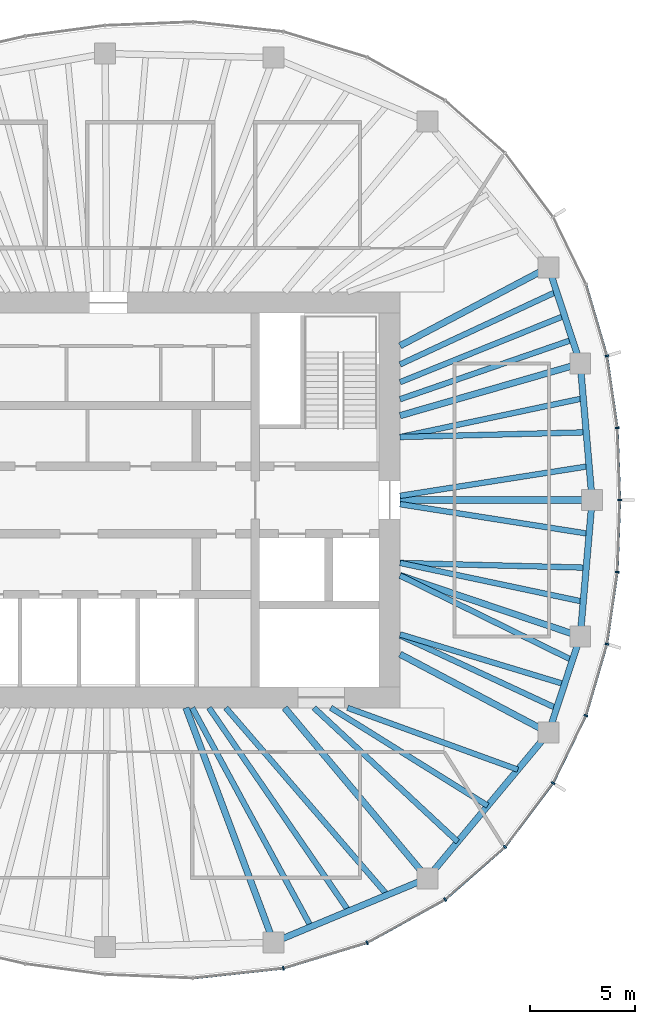
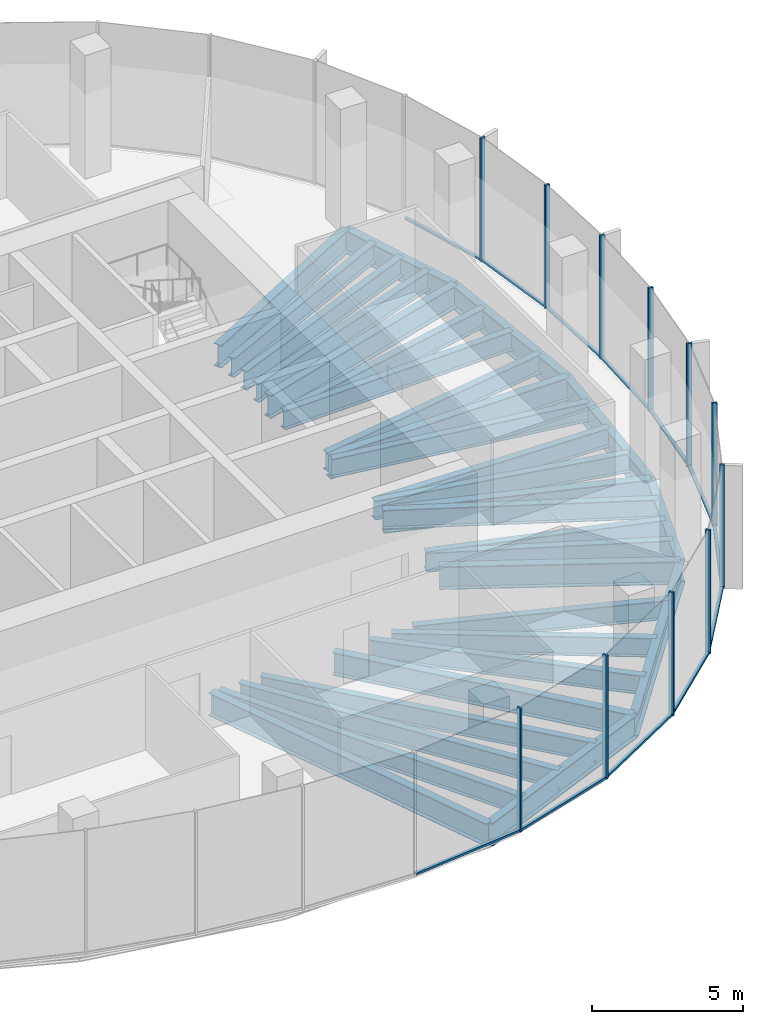
# One storey, part 4 of 11: 31 beams, 23 members, 7 elements without a shape of their own.
"""IFC4 building model written with IfcOpenShell, lengths in metres."""

from ifc_helpers import new_model, si_unit, direction, frame, origin, origin_2d, place, context, subcontext, project, spatial, rectangle, i_section, extrude, material, material_profile, profile_set, type_object, element, aggregate, save


model = new_model("IFC4")

# Units and contexts
model_context = context("Model", 3, precision=1e-05, world=origin(), true_north=direction((0.0, 1.0)))
body_context = subcontext(model_context, "Body", "Model", "MODEL_VIEW")
ifc_project = project(units=[si_unit("LENGTHUNIT", "METRE"), si_unit("AREAUNIT", "SQUARE_METRE"), si_unit("VOLUMEUNIT", "CUBIC_METRE"), si_unit("PLANEANGLEUNIT", "RADIAN"), si_unit("MASSUNIT", "GRAM", prefix="KILO")], contexts=[model_context])

# Site, building, storey
site_placement = place(None, origin())
site = spatial("IfcSite", under=ifc_project, at=site_placement, CompositionType="ELEMENT")
building_placement = place(site_placement, origin())
building = spatial("IfcBuilding", under=site, at=building_placement, Name="Ghaith Harvest Tower", CompositionType="ELEMENT")
storey_placement = place(building_placement, frame((0.0, 0.0, 334.199951171875)))
storey = spatial("IfcBuildingStorey", under=building, at=storey_placement, Name="L75", CompositionType="ELEMENT", Elevation=334.199951171875)

# Curtain wall, members
ifc_material_1 = material(Name="Black anodised aluminium and fritted glass", Category="aluminium")
curtain_wall_type = type_object("IfcCurtainWallType", Name="CW-T CURTAIN WALL", PredefinedType="NOTDEFINED", material=ifc_material_1)
curtain_wall_1_placement = place(storey_placement, origin())
curtain_wall_1 = element("IfcCurtainWall", 1, at=curtain_wall_1_placement, inside=storey, type_object=curtain_wall_type, Name="Curtain wall CW-T bay 01 L75", PredefinedType="NOTDEFINED")
ifc_material_2 = material(Name="Aluminium, black anodised", Category="aluminium")
ifc_material_profile_1 = material_profile(ifc_material_2, rectangle(XDim=0.080078125, YDim=0.179931640625, at=origin_2d()), Name="CW-T MULLION 80x180")
ifc_profile_set_1 = profile_set([ifc_material_profile_1], Name="Aluminium, black anodised")
member_type_1 = type_object("IfcMemberType", Name="CW-T MULLION 80x180", PredefinedType="MULLION", material=ifc_profile_set_1)
member_1_placement = place(storey_placement, frame((24.3701171875, 0.0, 0.0), z_axis=(0.0, 0.0, 1.0), x_axis=(5.2e-11, 1.0, 0.0)))
member_1 = element("IfcMember", 2, at=member_1_placement, type_object=member_type_1, Name="CW-T mullion 1 bay 01 L75", PredefinedType="MULLION", context=body_context, shape_type="SweptSolid", body=[
    extrude(rectangle(XDim=0.080078125, YDim=0.179931640625, at=origin_2d()), origin(), (0.0, 0.0, 1.0), 5.0),
])
member_2_placement = place(storey_placement, frame((24.247802734375, 3.433837890625, 0.0), z_axis=(0.0, 0.0, 1.0), x_axis=(-0.089502202236, 0.995986624305, 0.0)))
member_2 = element("IfcMember", 3, at=member_2_placement, type_object=member_type_1, Name="CW-T mullion 2 bay 01 L75", PredefinedType="MULLION", context=body_context, shape_type="SweptSolid", body=[
    extrude(rectangle(XDim=0.080078125, YDim=0.179931640625, at=origin_2d()), origin(), (0.0, 0.0, 1.0), 5.0),
])

# Curtain wall, member
curtain_wall_2_placement = place(storey_placement, origin())
curtain_wall_2 = element("IfcCurtainWall", 4, at=curtain_wall_2_placement, inside=storey, type_object=curtain_wall_type, Name="Curtain wall CW-T bay 02 L75", PredefinedType="NOTDEFINED")
member_3_placement = place(storey_placement, frame((23.753173828125, 6.865234375, 0.0), z_axis=(0.0, 0.0, 1.0), x_axis=(-0.21340203233, 0.976964468442, 0.0)))
member_3 = element("IfcMember", 5, at=member_3_placement, type_object=member_type_1, Name="CW-T mullion 1 bay 02 L75", PredefinedType="MULLION", context=body_context, shape_type="SweptSolid", body=[
    extrude(rectangle(XDim=0.080078125, YDim=0.179931640625, at=origin_2d()), origin(), (0.0, 0.0, 1.0), 5.0),
])

# Curtain wall, members
curtain_wall_3_placement = place(storey_placement, origin())
curtain_wall_3 = element("IfcCurtainWall", 6, at=curtain_wall_3_placement, inside=storey, type_object=curtain_wall_type, Name="Curtain wall CW-T bay 17 L75", PredefinedType="NOTDEFINED")
member_4_placement = place(storey_placement, frame((8.33984375, -22.308837890625, 0.0), z_axis=(0.0, 0.0, 1.0), x_axis=(0.980000193265, 0.198996535647, 0.0)))
member_4 = element("IfcMember", 7, at=member_4_placement, type_object=member_type_1, Name="CW-T mullion 1 bay 17 L75", PredefinedType="MULLION", context=body_context, shape_type="SweptSolid", body=[
    extrude(rectangle(XDim=0.080078125, YDim=0.179931640625, at=origin_2d()), origin(), (0.0, 0.0, 1.0), 5.0),
])
member_5_placement = place(storey_placement, frame((12.334228515625, -21.091796875, 0.0), z_axis=(0.0, 0.0, 1.0), x_axis=(0.920319269335, 0.391168048914, 0.0)))
member_5 = element("IfcMember", 8, at=member_5_placement, type_object=member_type_1, Name="CW-T mullion 2 bay 17 L75", PredefinedType="MULLION", context=body_context, shape_type="SweptSolid", body=[
    extrude(rectangle(XDim=0.080078125, YDim=0.179931640625, at=origin_2d()), origin(), (0.0, 0.0, 1.0), 5.0),
])

curtain_wall_4_placement = place(storey_placement, origin())
curtain_wall_4 = element("IfcCurtainWall", 9, at=curtain_wall_4_placement, inside=storey, type_object=curtain_wall_type, Name="Curtain wall CW-T bay 18 L75", PredefinedType="NOTDEFINED")
member_6_placement = place(storey_placement, frame((16.04931640625, -19.031982421875, 0.0), z_axis=(0.0, 0.0, 1.0), x_axis=(0.821112053644, 0.570767023715, 0.0)))
member_6 = element("IfcMember", 10, at=member_6_placement, type_object=member_type_1, Name="CW-T mullion 1 bay 18 L75", PredefinedType="MULLION", context=body_context, shape_type="SweptSolid", body=[
    extrude(rectangle(XDim=0.080078125, YDim=0.179931640625, at=origin_2d()), origin(), (0.0, 0.0, 1.0), 5.0),
])
member_7_placement = place(storey_placement, frame((18.901123046875, -16.527099609375, 0.0), z_axis=(0.0, 0.0, 1.0), x_axis=(0.679660897254, 0.733526458108, 0.0)))
member_7 = element("IfcMember", 11, at=member_7_placement, type_object=member_type_1, Name="CW-T mullion 2 bay 18 L75", PredefinedType="MULLION", context=body_context, shape_type="SweptSolid", body=[
    extrude(rectangle(XDim=0.080078125, YDim=0.179931640625, at=origin_2d()), origin(), (0.0, 0.0, 1.0), 5.0),
])

curtain_wall_5_placement = place(storey_placement, origin())
curtain_wall_5 = element("IfcCurtainWall", 12, at=curtain_wall_5_placement, inside=storey, type_object=curtain_wall_type, Name="Curtain wall CW-T bay 19 L75", PredefinedType="NOTDEFINED")
member_8_placement = place(storey_placement, frame((21.18896484375, -13.48486328125, 0.0), z_axis=(0.0, 0.0, 1.0), x_axis=(0.524482238715, 0.85142138878, 0.0)))
member_8 = element("IfcMember", 13, at=member_8_placement, type_object=member_type_1, Name="CW-T mullion 1 bay 19 L75", PredefinedType="MULLION", context=body_context, shape_type="SweptSolid", body=[
    extrude(rectangle(XDim=0.080078125, YDim=0.179931640625, at=origin_2d()), origin(), (0.0, 0.0, 1.0), 5.0),
])
member_9_placement = place(storey_placement, frame((22.754150390625, -10.272216796875, 0.0), z_axis=(0.0, 0.0, 1.0), x_axis=(0.361184273904, 0.932494461262, 0.0)))
member_9 = element("IfcMember", 14, at=member_9_placement, type_object=member_type_1, Name="CW-T mullion 2 bay 19 L75", PredefinedType="MULLION", context=body_context, shape_type="SweptSolid", body=[
    extrude(rectangle(XDim=0.080078125, YDim=0.179931640625, at=origin_2d()), origin(), (0.0, 0.0, 1.0), 5.0),
])

curtain_wall_6_placement = place(storey_placement, origin())
curtain_wall_6 = element("IfcCurtainWall", 15, at=curtain_wall_6_placement, inside=storey, type_object=curtain_wall_type, Name="Curtain wall CW-T bay 20 L75", PredefinedType="NOTDEFINED")
member_10_placement = place(storey_placement, frame((23.753173828125, -6.865234375, 0.0), z_axis=(0.0, 0.0, 1.0), x_axis=(0.213402032501, 0.976964468404, 0.0)))
member_10 = element("IfcMember", 16, at=member_10_placement, type_object=member_type_1, Name="CW-T mullion 1 bay 20 L75", PredefinedType="MULLION", context=body_context, shape_type="SweptSolid", body=[
    extrude(rectangle(XDim=0.080078125, YDim=0.179931640625, at=origin_2d()), origin(), (0.0, 0.0, 1.0), 5.0),
])
member_11_placement = place(storey_placement, frame((24.247802734375, -3.433837890625, 0.0), z_axis=(0.0, 0.0, 1.0), x_axis=(0.089502202305, 0.995986624299, 0.0)))
member_11 = element("IfcMember", 17, at=member_11_placement, type_object=member_type_1, Name="CW-T mullion 2 bay 20 L75", PredefinedType="MULLION", context=body_context, shape_type="SweptSolid", body=[
    extrude(rectangle(XDim=0.080078125, YDim=0.179931640625, at=origin_2d()), origin(), (0.0, 0.0, 1.0), 5.0),
])

# Member
ifc_material_3 = material(Name="Aluminium, black anodised", Category="aluminium")
ifc_material_profile_2 = material_profile(ifc_material_3, rectangle(XDim=0.1201171875, YDim=0.080078125, at=origin_2d()), Name="CW-T TRANSOM 120x80")
ifc_profile_set_2 = profile_set([ifc_material_profile_2], Name="Aluminium, black anodised")
member_type_2 = type_object("IfcMemberType", Name="CW-T TRANSOM 120x80", PredefinedType="USERDEFINED", material=ifc_profile_set_2)
member_12_placement = place(storey_placement, frame((24.36865234375, 0.0400390625, 0.0400390625), z_axis=(-0.035574759537, 0.999367017909, 0.0), x_axis=(-0.999367017909, -0.035574759537, 0.0)))
member_12 = element("IfcMember", 18, at=member_12_placement, type_object=member_type_2, Name="CW-T transom 1 bay 01 L75", ObjectType="TRANSOM", PredefinedType="USERDEFINED", context=body_context, shape_type="SweptSolid", body=[
    extrude(rectangle(XDim=0.1201171875, YDim=0.080078125, at=origin_2d()), origin(), (0.0, 0.0, 1.0), 3.35595703125),
])

member_13_placement = place(storey_placement, frame((24.2421875, 3.473388671875, 0.0400390625), z_axis=(-0.142733224301, 0.989761196795, 0.0), x_axis=(-0.989761196795, -0.142733224301, 0.0)))
member_13 = element("IfcMember", 19, at=member_13_placement, type_object=member_type_2, Name="CW-T transom 2 bay 01 L75", ObjectType="TRANSOM", PredefinedType="USERDEFINED", context=body_context, shape_type="SweptSolid", body=[
    extrude(rectangle(XDim=0.1201171875, YDim=0.080078125, at=origin_2d()), origin(), (0.0, 0.0, 1.0), 3.38671875),
])

aggregate(curtain_wall_1, [member_1, member_12, member_2, member_13])

member_14_placement = place(storey_placement, frame((23.741943359375, 6.903564453125, 0.0400390625), z_axis=(-0.281385475469, 0.95959481772, 0.0), x_axis=(-0.95959481772, -0.281385475469, 0.0)))
member_14 = element("IfcMember", 20, at=member_14_placement, type_object=member_type_2, Name="CW-T transom 1 bay 02 L75", ObjectType="TRANSOM", PredefinedType="USERDEFINED", context=body_context, shape_type="SweptSolid", body=[
    extrude(rectangle(XDim=0.1201171875, YDim=0.080078125, at=origin_2d()), origin(), (0.0, 0.0, 1.0), 3.470458984375),
])

aggregate(curtain_wall_2, [member_3, member_14])

# Curtain wall, member
curtain_wall_7_placement = place(storey_placement, origin())
curtain_wall_7 = element("IfcCurtainWall", 21, at=curtain_wall_7_placement, inside=storey, type_object=curtain_wall_type, Name="Curtain wall CW-T bay 16 L75", PredefinedType="NOTDEFINED")
member_15_placement = place(storey_placement, frame((4.077392578125, -22.772216796875, 0.0400390625), z_axis=(0.994144463069, 0.108059180768, 0.0), x_axis=(-0.108059180768, 0.994144463069, 0.0)))
member_15 = element("IfcMember", 22, at=member_15_placement, type_object=member_type_2, Name="CW-T transom 2 bay 16 L75", ObjectType="TRANSOM", PredefinedType="USERDEFINED", context=body_context, shape_type="SweptSolid", body=[
    extrude(rectangle(XDim=0.1201171875, YDim=0.080078125, at=origin_2d()), origin(), (0.0, 0.0, 1.0), 4.24755859375),
])
aggregate(curtain_wall_7, [member_15])

# Member
member_16_placement = place(storey_placement, frame((8.378173828125, -22.297119140625, 0.0400390625), z_axis=(0.956593713342, 0.291424891858, 0.0), x_axis=(-0.291424891858, 0.956593713342, 0.0)))
member_16 = element("IfcMember", 23, at=member_16_placement, type_object=member_type_2, Name="CW-T transom 1 bay 17 L75", ObjectType="TRANSOM", PredefinedType="USERDEFINED", context=body_context, shape_type="SweptSolid", body=[
    extrude(rectangle(XDim=0.1201171875, YDim=0.080078125, at=origin_2d()), origin(), (0.0, 0.0, 1.0), 4.095703125),
])

member_17_placement = place(storey_placement, frame((12.369384765625, -21.072509765625, 0.0400390625), z_axis=(0.874552130553, 0.484931511603, 0.0), x_axis=(-0.484931511603, 0.874552130553, 0.0)))
member_17 = element("IfcMember", 24, at=member_17_placement, type_object=member_type_2, Name="CW-T transom 2 bay 17 L75", ObjectType="TRANSOM", PredefinedType="USERDEFINED", context=body_context, shape_type="SweptSolid", body=[
    extrude(rectangle(XDim=0.1201171875, YDim=0.080078125, at=origin_2d()), origin(), (0.0, 0.0, 1.0), 4.16748046875),
])

aggregate(curtain_wall_3, [member_4, member_16, member_5, member_17])

member_18_placement = place(storey_placement, frame((16.079345703125, -19.005615234375, 0.0400390625), z_axis=(0.751325799984, 0.659931467865, 0.0), x_axis=(-0.659931467865, 0.751325799984, 0.0)))
member_18 = element("IfcMember", 25, at=member_18_placement, type_object=member_type_2, Name="CW-T transom 1 bay 18 L75", ObjectType="TRANSOM", PredefinedType="USERDEFINED", context=body_context, shape_type="SweptSolid", body=[
    extrude(rectangle(XDim=0.1201171875, YDim=0.080078125, at=origin_2d()), origin(), (0.0, 0.0, 1.0), 3.7158203125),
])

member_19_placement = place(storey_placement, frame((18.925048828125, -16.4951171875, 0.0400390625), z_axis=(0.601079103045, 0.799189534392, 0.0), x_axis=(-0.799189534392, 0.601079103045, 0.0)))
member_19 = element("IfcMember", 26, at=member_19_placement, type_object=member_type_2, Name="CW-T transom 2 bay 18 L75", ObjectType="TRANSOM", PredefinedType="USERDEFINED", context=body_context, shape_type="SweptSolid", body=[
    extrude(rectangle(XDim=0.1201171875, YDim=0.080078125, at=origin_2d()), origin(), (0.0, 0.0, 1.0), 3.7265625),
])

aggregate(curtain_wall_4, [member_6, member_18, member_7, member_19])

member_20_placement = place(storey_placement, frame((21.20654296875, -13.448974609375, 0.0400390625), z_axis=(0.437965078712, 0.898991985408, 0.0), x_axis=(-0.898991985408, 0.437965078712, 0.0)))
member_20 = element("IfcMember", 27, at=member_20_placement, type_object=member_type_2, Name="CW-T transom 1 bay 19 L75", ObjectType="TRANSOM", PredefinedType="USERDEFINED", context=body_context, shape_type="SweptSolid", body=[
    extrude(rectangle(XDim=0.1201171875, YDim=0.080078125, at=origin_2d()), origin(), (0.0, 0.0, 1.0), 3.493408203125),
])

member_21_placement = place(storey_placement, frame((22.765380859375, -10.23388671875, 0.0400390625), z_axis=(0.281385475469, 0.95959481772, 0.0), x_axis=(-0.95959481772, 0.281385475469, 0.0)))
member_21 = element("IfcMember", 28, at=member_21_placement, type_object=member_type_2, Name="CW-T transom 2 bay 19 L75", ObjectType="TRANSOM", PredefinedType="USERDEFINED", context=body_context, shape_type="SweptSolid", body=[
    extrude(rectangle(XDim=0.1201171875, YDim=0.080078125, at=origin_2d()), origin(), (0.0, 0.0, 1.0), 3.470458984375),
])

aggregate(curtain_wall_5, [member_8, member_20, member_9, member_21])

member_22_placement = place(storey_placement, frame((23.7587890625, -6.825439453125, 0.0400390625), z_axis=(0.142733224301, 0.989761196795, 0.0), x_axis=(-0.989761196795, 0.142733224301, 0.0)))
member_22 = element("IfcMember", 29, at=member_22_placement, type_object=member_type_2, Name="CW-T transom 1 bay 20 L75", ObjectType="TRANSOM", PredefinedType="USERDEFINED", context=body_context, shape_type="SweptSolid", body=[
    extrude(rectangle(XDim=0.1201171875, YDim=0.080078125, at=origin_2d()), origin(), (0.0, 0.0, 1.0), 3.38671875),
])

member_23_placement = place(storey_placement, frame((24.249267578125, -3.393798828125, 0.0400390625), z_axis=(0.035574759537, 0.999367017909, 0.0), x_axis=(-0.999367017909, 0.035574759537, 0.0)))
member_23 = element("IfcMember", 30, at=member_23_placement, type_object=member_type_2, Name="CW-T transom 2 bay 20 L75", ObjectType="TRANSOM", PredefinedType="USERDEFINED", context=body_context, shape_type="SweptSolid", body=[
    extrude(rectangle(XDim=0.1201171875, YDim=0.080078125, at=origin_2d()), origin(), (0.0, 0.0, 1.0), 3.35595703125),
])

aggregate(curtain_wall_6, [member_10, member_22, member_11, member_23])

# Beams
ifc_material_4 = material(Name="Steel ASTM A992 Grade 50", Category="steel")
ifc_material_profile_3 = material_profile(ifc_material_4, i_section(OverallWidth=0.306884765625, OverallDepth=0.94189453125, WebThickness=0.022216796875, FlangeThickness=0.039794921875, at=origin_2d()), Name="W920X345")
ifc_profile_set_3 = profile_set([ifc_material_profile_3], Name="Steel ASTM A992 Grade 50")
beam_type_1 = type_object("IfcBeamType", Name="E920-345 W920X345", PredefinedType="SPANDREL", material=ifc_profile_set_3)
beam_1_placement = place(storey_placement, frame((23.050048828125, 0.0, -0.696044921875), z_axis=(-0.086600547306, 0.996243115513, 0.0), x_axis=(-0.996243115513, -0.086600547306, 0.0)))
element("IfcBeam", 31, at=beam_1_placement, inside=storey, type_object=beam_type_1, Name="Edge beam E01 L75", PredefinedType="SPANDREL", context=body_context, shape_type="SweptSolid", body=[
    extrude(i_section(OverallWidth=0.306884765625, OverallDepth=0.94189453125, WebThickness=0.022216796875, FlangeThickness=0.039794921875, at=origin_2d()), origin(), (0.0, 0.0, 1.0), 6.5234375),
])
beam_2_placement = place(storey_placement, frame((22.485107421875, 6.4990234375, -0.696044921875), z_axis=(-0.312206727278, 0.950014189074, 0.0), x_axis=(-0.950014189074, -0.312206727278, 0.0)))
element("IfcBeam", 32, at=beam_2_placement, inside=storey, type_object=beam_type_1, Name="Edge beam E02 L75", PredefinedType="SPANDREL", context=body_context, shape_type="SweptSolid", body=[
    extrude(i_section(OverallWidth=0.306884765625, OverallDepth=0.94189453125, WebThickness=0.022216796875, FlangeThickness=0.039794921875, at=origin_2d()), origin(), (0.0, 0.0, 1.0), 4.830322265625),
])
beam_3_placement = place(storey_placement, frame((7.8779296875, -21.072021484375, -0.696044921875), z_axis=(0.923119729219, 0.384512633766, 0.0), x_axis=(-0.384512633766, 0.923119729219, 0.0)))
element("IfcBeam", 33, at=beam_3_placement, inside=storey, type_object=beam_type_1, Name="Edge beam E17 L75", PredefinedType="SPANDREL", context=body_context, shape_type="SweptSolid", body=[
    extrude(i_section(OverallWidth=0.306884765625, OverallDepth=0.94189453125, WebThickness=0.022216796875, FlangeThickness=0.039794921875, at=origin_2d()), origin(), (0.0, 0.0, 1.0), 7.9296875),
])
beam_4_placement = place(storey_placement, frame((15.197998046875, -18.02294921875, -0.696044921875), z_axis=(0.640173759088, 0.76823014662, 0.0), x_axis=(-0.76823014662, 0.640173759088, 0.0)))
element("IfcBeam", 34, at=beam_4_placement, inside=storey, type_object=beam_type_1, Name="Edge beam E18 L75", PredefinedType="SPANDREL", context=body_context, shape_type="SweptSolid", body=[
    extrude(i_section(OverallWidth=0.306884765625, OverallDepth=0.94189453125, WebThickness=0.022216796875, FlangeThickness=0.039794921875, at=origin_2d()), origin(), (0.0, 0.0, 1.0), 9.02734375),
])
beam_5_placement = place(storey_placement, frame((20.97705078125, -11.087890625, -0.696044921875), z_axis=(0.312206727278, 0.950014189074, 0.0), x_axis=(-0.950014189074, 0.312206727278, 0.0)))
element("IfcBeam", 35, at=beam_5_placement, inside=storey, type_object=beam_type_1, Name="Edge beam E19 L75", PredefinedType="SPANDREL", context=body_context, shape_type="SweptSolid", body=[
    extrude(i_section(OverallWidth=0.306884765625, OverallDepth=0.94189453125, WebThickness=0.022216796875, FlangeThickness=0.039794921875, at=origin_2d()), origin(), (0.0, 0.0, 1.0), 4.830322265625),
])
beam_6_placement = place(storey_placement, frame((22.485107421875, -6.4990234375, -0.696044921875), z_axis=(0.086600547306, 0.996243115513, 0.0), x_axis=(-0.996243115513, 0.086600547306, 0.0)))
element("IfcBeam", 36, at=beam_6_placement, inside=storey, type_object=beam_type_1, Name="Edge beam E20 L75", PredefinedType="SPANDREL", context=body_context, shape_type="SweptSolid", body=[
    extrude(i_section(OverallWidth=0.306884765625, OverallDepth=0.94189453125, WebThickness=0.022216796875, FlangeThickness=0.039794921875, at=origin_2d()), origin(), (0.0, 0.0, 1.0), 6.5234375),
])
ifc_material_5 = material(Name="Steel ASTM A992 Grade 50", Category="steel")
ifc_material_profile_4 = material_profile(ifc_material_5, i_section(OverallWidth=0.31005859375, OverallDepth=0.927001953125, WebThickness=0.019287109375, FlangeThickness=0.031982421875, at=origin_2d()), Name="W920X289")
ifc_profile_set_4 = profile_set([ifc_material_profile_4], Name="Steel ASTM A992 Grade 50")
beam_type_2 = type_object("IfcBeamType", Name="G920-289 W920X289", PredefinedType="BEAM", material=ifc_profile_set_4)
beam_7_placement = place(storey_placement, frame((13.89990234375, 0.0, -0.6884765625), z_axis=(1.0, 0.0, 0.0), x_axis=(0.0, 1.0, 0.0)))
element("IfcBeam", 37, at=beam_7_placement, inside=storey, type_object=beam_type_2, Name="Radial girder G01 L75", PredefinedType="BEAM", context=body_context, shape_type="SweptSolid", body=[
    extrude(i_section(OverallWidth=0.31005859375, OverallDepth=0.927001953125, WebThickness=0.019287109375, FlangeThickness=0.031982421875, at=origin_2d()), origin(), (0.0, 0.0, 1.0), 9.150146484375),
])
beam_8_placement = place(storey_placement, frame((13.89990234375, 4.017333984375, -0.6884765625), z_axis=(0.960668846071, 0.27769653975, 0.0), x_axis=(-0.27769653975, 0.960668846071, 0.0)))
element("IfcBeam", 38, at=beam_8_placement, inside=storey, type_object=beam_type_2, Name="Radial girder G02 L75", PredefinedType="BEAM", context=body_context, shape_type="SweptSolid", body=[
    extrude(i_section(OverallWidth=0.31005859375, OverallDepth=0.927001953125, WebThickness=0.019287109375, FlangeThickness=0.031982421875, at=origin_2d()), origin(), (0.0, 0.0, 1.0), 8.936767578125),
])
beam_9_placement = place(storey_placement, frame((13.89990234375, 7.34716796875, -0.6884765625), z_axis=(0.884097820364, 0.467301876764, 0.0), x_axis=(-0.467301876764, 0.884097820364, 0.0)))
element("IfcBeam", 39, at=beam_9_placement, inside=storey, type_object=beam_type_2, Name="Radial girder G03 L75", PredefinedType="BEAM", context=body_context, shape_type="SweptSolid", body=[
    extrude(i_section(OverallWidth=0.31005859375, OverallDepth=0.927001953125, WebThickness=0.019287109375, FlangeThickness=0.031982421875, at=origin_2d()), origin(), (0.0, 0.0, 1.0), 8.0048828125),
])
beam_10_placement = place(storey_placement, frame((3.700927734375, -9.89990234375, -0.6884765625), z_axis=(0.350201332531, -0.936674450753, 0.0), x_axis=(0.936674450753, 0.350201332531, 0.0)))
element("IfcBeam", 40, at=beam_10_placement, inside=storey, type_object=beam_type_2, Name="Radial girder G17 L75", PredefinedType="BEAM", context=body_context, shape_type="SweptSolid", body=[
    extrude(i_section(OverallWidth=0.31005859375, OverallDepth=0.927001953125, WebThickness=0.019287109375, FlangeThickness=0.031982421875, at=origin_2d()), origin(), (0.0, 0.0, 1.0), 11.927490234375),
])
beam_11_placement = place(storey_placement, frame((8.39990234375, -9.89990234375, -0.6884765625), z_axis=(0.641792628883, -0.766878231215, 0.0), x_axis=(0.766878231215, 0.641792628883, 0.0)))
element("IfcBeam", 41, at=beam_11_placement, inside=storey, type_object=beam_type_2, Name="Radial girder G18 L75", PredefinedType="BEAM", context=body_context, shape_type="SweptSolid", body=[
    extrude(i_section(OverallWidth=0.31005859375, OverallDepth=0.927001953125, WebThickness=0.019287109375, FlangeThickness=0.031982421875, at=origin_2d()), origin(), (0.0, 0.0, 1.0), 10.59228515625),
])
beam_12_placement = place(storey_placement, frame((13.89990234375, -7.34716796875, -0.6884765625), z_axis=(0.884097820364, -0.467301876764, 0.0), x_axis=(0.467301876764, 0.884097820364, 0.0)))
element("IfcBeam", 42, at=beam_12_placement, inside=storey, type_object=beam_type_2, Name="Radial girder G19 L75", PredefinedType="BEAM", context=body_context, shape_type="SweptSolid", body=[
    extrude(i_section(OverallWidth=0.31005859375, OverallDepth=0.927001953125, WebThickness=0.019287109375, FlangeThickness=0.031982421875, at=origin_2d()), origin(), (0.0, 0.0, 1.0), 8.0048828125),
])
beam_13_placement = place(storey_placement, frame((13.89990234375, -3.60009765625, -0.6884765625), z_axis=(0.947444819082, -0.319919231673, 0.0), x_axis=(0.319919231673, 0.947444819082, 0.0)))
element("IfcBeam", 43, at=beam_13_placement, inside=storey, type_object=beam_type_2, Name="Radial girder G20 L75", PredefinedType="BEAM", context=body_context, shape_type="SweptSolid", body=[
    extrude(i_section(OverallWidth=0.31005859375, OverallDepth=0.927001953125, WebThickness=0.019287109375, FlangeThickness=0.031982421875, at=origin_2d()), origin(), (0.0, 0.0, 1.0), 9.0615234375),
])
ifc_material_6 = material(Name="Steel ASTM A992 Grade 50", Category="steel")
ifc_material_profile_5 = material_profile(ifc_material_6, i_section(OverallWidth=0.26806640625, OverallDepth=0.77001953125, WebThickness=0.015625, FlangeThickness=0.025390625, at=origin_2d()), Name="W760X196")
ifc_profile_set_5 = profile_set([ifc_material_profile_5], Name="Steel ASTM A992 Grade 50")
beam_type_3 = type_object("IfcBeamType", Name="J760-196 W760X196", PredefinedType="JOIST", material=ifc_profile_set_5)
beam_14_placement = place(storey_placement, frame((13.89990234375, 0.199951171875, -0.60986328125), z_axis=(0.987906665526, 0.155049734628, 0.0), x_axis=(-0.155049734628, 0.987906665526, 0.0)))
element("IfcBeam", 44, at=beam_14_placement, inside=storey, type_object=beam_type_3, Name="Joist J01.1 L75", PredefinedType="JOIST", context=body_context, shape_type="SweptSolid", body=[
    extrude(i_section(OverallWidth=0.26806640625, OverallDepth=0.77001953125, WebThickness=0.015625, FlangeThickness=0.025390625, at=origin_2d()), origin(), (0.0, 0.0, 1.0), 9.1201171875),
])
beam_15_placement = place(storey_placement, frame((13.89990234375, 3.0, -0.60986328125), z_axis=(0.999679533859, 0.025314612071, 0.0), x_axis=(-0.025314612071, 0.999679533859, 0.0)))
element("IfcBeam", 45, at=beam_15_placement, inside=storey, type_object=beam_type_3, Name="Joist J01.2 L75", PredefinedType="JOIST", context=body_context, shape_type="SweptSolid", body=[
    extrude(i_section(OverallWidth=0.26806640625, OverallDepth=0.77001953125, WebThickness=0.015625, FlangeThickness=0.025390625, at=origin_2d()), origin(), (0.0, 0.0, 1.0), 8.872802734375),
])
beam_16_placement = place(storey_placement, frame((13.89990234375, 3.0, -0.60986328125), z_axis=(0.97833382446, 0.207033639579, 0.0), x_axis=(-0.207033639579, 0.97833382446, 0.0)))
element("IfcBeam", 46, at=beam_16_placement, inside=storey, type_object=beam_type_3, Name="Joist J01.3 L75", PredefinedType="JOIST", context=body_context, shape_type="SweptSolid", body=[
    extrude(i_section(OverallWidth=0.26806640625, OverallDepth=0.77001953125, WebThickness=0.015625, FlangeThickness=0.025390625, at=origin_2d()), origin(), (0.0, 0.0, 1.0), 8.922119140625),
])
beam_17_placement = place(storey_placement, frame((13.89990234375, 4.801025390625, -0.60986328125), z_axis=(0.945204712775, 0.326478254937, 0.0), x_axis=(-0.326478254937, 0.945204712775, 0.0)))
element("IfcBeam", 47, at=beam_17_placement, inside=storey, type_object=beam_type_3, Name="Joist J02.1 L75", PredefinedType="JOIST", context=body_context, shape_type="SweptSolid", body=[
    extrude(i_section(OverallWidth=0.26806640625, OverallDepth=0.77001953125, WebThickness=0.015625, FlangeThickness=0.025390625, at=origin_2d()), origin(), (0.0, 0.0, 1.0), 8.687255859375),
])
beam_18_placement = place(storey_placement, frame((13.89990234375, 5.61328125, -0.60986328125), z_axis=(0.927254375113, 0.374432001615, 0.0), x_axis=(-0.374432001615, 0.927254375113, 0.0)))
element("IfcBeam", 48, at=beam_18_placement, inside=storey, type_object=beam_type_3, Name="Joist J02.2 L75", PredefinedType="JOIST", context=body_context, shape_type="SweptSolid", body=[
    extrude(i_section(OverallWidth=0.26806640625, OverallDepth=0.77001953125, WebThickness=0.015625, FlangeThickness=0.025390625, at=origin_2d()), origin(), (0.0, 0.0, 1.0), 8.450927734375),
])
beam_19_placement = place(storey_placement, frame((13.89990234375, 6.45947265625, -0.60986328125), z_axis=(0.906859906661, 0.42143221245, 0.0), x_axis=(-0.42143221245, 0.906859906661, 0.0)))
element("IfcBeam", 49, at=beam_19_placement, inside=storey, type_object=beam_type_3, Name="Joist J02.3 L75", PredefinedType="JOIST", context=body_context, shape_type="SweptSolid", body=[
    extrude(i_section(OverallWidth=0.26806640625, OverallDepth=0.77001953125, WebThickness=0.015625, FlangeThickness=0.025390625, at=origin_2d()), origin(), (0.0, 0.0, 1.0), 8.22509765625),
])
beam_20_placement = place(storey_placement, frame((4.0, -9.89990234375, -0.60986328125), z_axis=(0.476764926531, -0.879030832696, 0.0), x_axis=(0.879030832696, 0.476764926531, 0.0)))
element("IfcBeam", 50, at=beam_20_placement, inside=storey, type_object=beam_type_3, Name="Joist J17.1 L75", PredefinedType="JOIST", context=body_context, shape_type="SweptSolid", body=[
    extrude(i_section(OverallWidth=0.26806640625, OverallDepth=0.77001953125, WebThickness=0.015625, FlangeThickness=0.025390625, at=origin_2d()), origin(), (0.0, 0.0, 1.0), 11.866455078125),
])
beam_21_placement = place(storey_placement, frame((4.800048828125, -9.89990234375, -0.60986328125), z_axis=(0.566228035119, -0.824248634967, 0.0), x_axis=(0.824248634967, 0.566228035119, 0.0)))
element("IfcBeam", 51, at=beam_21_placement, inside=storey, type_object=beam_type_3, Name="Joist J17.2 L75", PredefinedType="JOIST", context=body_context, shape_type="SweptSolid", body=[
    extrude(i_section(OverallWidth=0.26806640625, OverallDepth=0.77001953125, WebThickness=0.015625, FlangeThickness=0.025390625, at=origin_2d()), origin(), (0.0, 0.0, 1.0), 11.748046875),
])
beam_22_placement = place(storey_placement, frame((5.60009765625, -9.89990234375, -0.60986328125), z_axis=(0.652992938501, -0.757363995888, 0.0), x_axis=(0.757363995888, 0.652992938501, 0.0)))
element("IfcBeam", 52, at=beam_22_placement, inside=storey, type_object=beam_type_3, Name="Joist J17.3 L75", PredefinedType="JOIST", context=body_context, shape_type="SweptSolid", body=[
    extrude(i_section(OverallWidth=0.26806640625, OverallDepth=0.77001953125, WebThickness=0.015625, FlangeThickness=0.025390625, at=origin_2d()), origin(), (0.0, 0.0, 1.0), 11.775390625),
])
beam_23_placement = place(storey_placement, frame((9.800048828125, -9.89990234375, -0.60986328125), z_axis=(0.73164904944, -0.681681500742, 0.0), x_axis=(0.681681500742, 0.73164904944, 0.0)))
element("IfcBeam", 53, at=beam_23_placement, inside=storey, type_object=beam_type_3, Name="Joist J18.1 L75", PredefinedType="JOIST", context=body_context, shape_type="SweptSolid", body=[
    extrude(i_section(OverallWidth=0.26806640625, OverallDepth=0.77001953125, WebThickness=0.015625, FlangeThickness=0.025390625, at=origin_2d()), origin(), (0.0, 0.0, 1.0), 9.361572265625),
])
beam_24_placement = place(storey_placement, frame((10.60009765625, -9.89990234375, -0.60986328125), z_axis=(0.84837619421, -0.52939383553, 0.0), x_axis=(0.52939383553, 0.84837619421, 0.0)))
element("IfcBeam", 54, at=beam_24_placement, inside=storey, type_object=beam_type_3, Name="Joist J18.2 L75", PredefinedType="JOIST", context=body_context, shape_type="SweptSolid", body=[
    extrude(i_section(OverallWidth=0.26806640625, OverallDepth=0.77001953125, WebThickness=0.015625, FlangeThickness=0.025390625, at=origin_2d()), origin(), (0.0, 0.0, 1.0), 8.814697265625),
])
beam_25_placement = place(storey_placement, frame((11.39990234375, -9.89990234375, -0.60986328125), z_axis=(0.939925501564, -0.341379629605, 0.0), x_axis=(0.341379629605, 0.939925501564, 0.0)))
element("IfcBeam", 55, at=beam_25_placement, inside=storey, type_object=beam_type_3, Name="Joist J18.3 L75", PredefinedType="JOIST", context=body_context, shape_type="SweptSolid", body=[
    extrude(i_section(OverallWidth=0.26806640625, OverallDepth=0.77001953125, WebThickness=0.015625, FlangeThickness=0.025390625, at=origin_2d()), origin(), (0.0, 0.0, 1.0), 8.630615234375),
])
beam_26_placement = place(storey_placement, frame((13.89990234375, -6.45947265625, -0.60986328125), z_axis=(0.906859906661, -0.42143221245, 0.0), x_axis=(0.42143221245, 0.906859906661, 0.0)))
element("IfcBeam", 56, at=beam_26_placement, inside=storey, type_object=beam_type_3, Name="Joist J19.1 L75", PredefinedType="JOIST", context=body_context, shape_type="SweptSolid", body=[
    extrude(i_section(OverallWidth=0.26806640625, OverallDepth=0.77001953125, WebThickness=0.015625, FlangeThickness=0.025390625, at=origin_2d()), origin(), (0.0, 0.0, 1.0), 8.22509765625),
])
beam_27_placement = place(storey_placement, frame((13.89990234375, -6.39990234375, -0.60986328125), z_axis=(0.9569197823, -0.290352424208, 0.0), x_axis=(0.290352424208, 0.9569197823, 0.0)))
element("IfcBeam", 57, at=beam_27_placement, inside=storey, type_object=beam_type_3, Name="Joist J19.2 L75", PredefinedType="JOIST", context=body_context, shape_type="SweptSolid", body=[
    extrude(i_section(OverallWidth=0.26806640625, OverallDepth=0.77001953125, WebThickness=0.015625, FlangeThickness=0.025390625, at=origin_2d()), origin(), (0.0, 0.0, 1.0), 8.18896484375),
])
beam_28_placement = place(storey_placement, frame((13.89990234375, -3.60009765625, -0.60986328125), z_axis=(0.89740088778, -0.441216099674, 0.0), x_axis=(0.441216099674, 0.89740088778, 0.0)))
element("IfcBeam", 58, at=beam_28_placement, inside=storey, type_object=beam_type_3, Name="Joist J19.3 L75", PredefinedType="JOIST", context=body_context, shape_type="SweptSolid", body=[
    extrude(i_section(OverallWidth=0.26806640625, OverallDepth=0.77001953125, WebThickness=0.015625, FlangeThickness=0.025390625, at=origin_2d()), origin(), (0.0, 0.0, 1.0), 9.14990234375),
])
beam_29_placement = place(storey_placement, frame((13.89990234375, -3.0, -0.60986328125), z_axis=(0.97833382446, -0.207033639579, 0.0), x_axis=(0.207033639579, 0.97833382446, 0.0)))
element("IfcBeam", 59, at=beam_29_placement, inside=storey, type_object=beam_type_3, Name="Joist J20.1 L75", PredefinedType="JOIST", context=body_context, shape_type="SweptSolid", body=[
    extrude(i_section(OverallWidth=0.26806640625, OverallDepth=0.77001953125, WebThickness=0.015625, FlangeThickness=0.025390625, at=origin_2d()), origin(), (0.0, 0.0, 1.0), 8.922119140625),
])
beam_30_placement = place(storey_placement, frame((13.89990234375, -3.0, -0.60986328125), z_axis=(0.999679533859, -0.025314612071, 0.0), x_axis=(0.025314612071, 0.999679533859, 0.0)))
element("IfcBeam", 60, at=beam_30_placement, inside=storey, type_object=beam_type_3, Name="Joist J20.2 L75", PredefinedType="JOIST", context=body_context, shape_type="SweptSolid", body=[
    extrude(i_section(OverallWidth=0.26806640625, OverallDepth=0.77001953125, WebThickness=0.015625, FlangeThickness=0.025390625, at=origin_2d()), origin(), (0.0, 0.0, 1.0), 8.872802734375),
])
beam_31_placement = place(storey_placement, frame((13.89990234375, -0.199951171875, -0.60986328125), z_axis=(0.987906665526, -0.155049734628, 0.0), x_axis=(0.155049734628, 0.987906665526, 0.0)))
element("IfcBeam", 61, at=beam_31_placement, inside=storey, type_object=beam_type_3, Name="Joist J20.3 L75", PredefinedType="JOIST", context=body_context, shape_type="SweptSolid", body=[
    extrude(i_section(OverallWidth=0.26806640625, OverallDepth=0.77001953125, WebThickness=0.015625, FlangeThickness=0.025390625, at=origin_2d()), origin(), (0.0, 0.0, 1.0), 9.1201171875),
])

save(model, "model.ifc")
